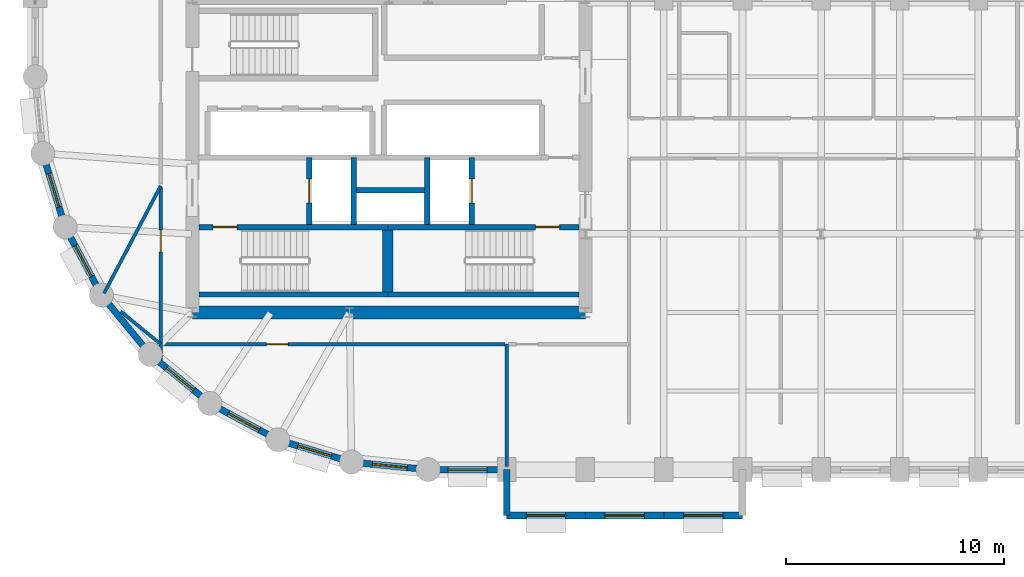
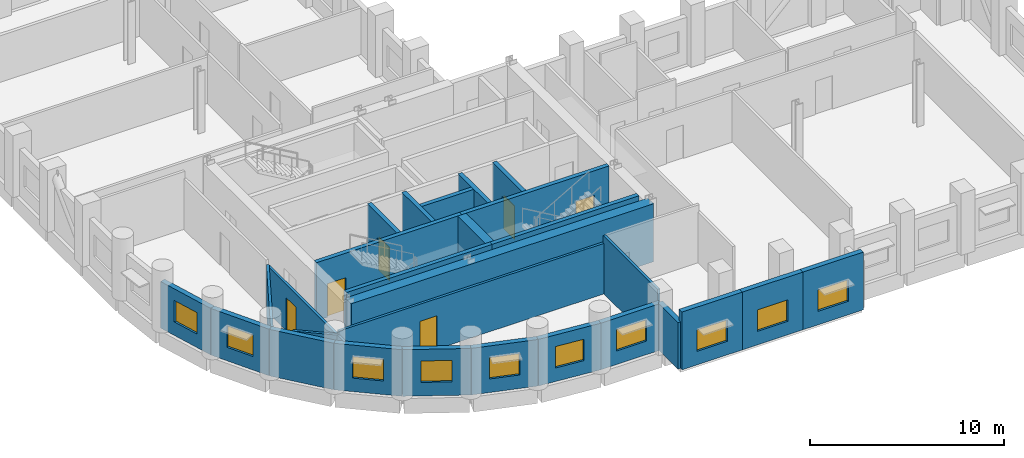
# One storey, part 3 of 10: 28 walls, 10 windows, 6 doors, 16 openings.
"""IFC4 building model written with IfcOpenShell, lengths in metres."""

from ifc_helpers import new_model, si_unit, direction, frame, frame_2d, origin, place, context, subcontext, project, spatial, rectangle, extrude, material, layer, layer_set, type_object, element, fill, save


model = new_model("IFC4")

# Units and contexts
model_context = context("Model", 3, precision=1e-05, world=origin(), true_north=direction((0.0, 1.0)))
body_context = subcontext(model_context, "Body", "Model", "MODEL_VIEW")
ifc_project = project(units=[si_unit("LENGTHUNIT", "METRE"), si_unit("AREAUNIT", "SQUARE_METRE"), si_unit("VOLUMEUNIT", "CUBIC_METRE"), si_unit("PLANEANGLEUNIT", "RADIAN"), si_unit("MASSUNIT", "GRAM", prefix="KILO")], contexts=[model_context])

# Site, building, storey
site_placement = place(None, origin())
site = spatial("IfcSite", under=ifc_project, at=site_placement, CompositionType="ELEMENT")
building_placement = place(site_placement, origin())
building = spatial("IfcBuilding", under=site, at=building_placement, Name="Solnavia Interchange Tower", CompositionType="ELEMENT")
storey_placement = place(building_placement, frame((0.0, 0.0, 95.699951171875)))
storey = spatial("IfcBuildingStorey", under=building, at=storey_placement, Name="L23", CompositionType="ELEMENT", Elevation=95.699951171875)

# Wall, opening, window
ifc_material_1 = material(Name="Concrete C40/50", Category="concrete")
ifc_layer_1 = layer(ifc_material_1, 0.300048828125)
ifc_layer_set_1 = layer_set([ifc_layer_1], Name="Concrete C40/50")
wall_type_1 = type_object("IfcWallType", Name="Wall-ExtSpandrel-300", PredefinedType="STANDARD", material=ifc_layer_set_1)
wall_1_placement = place(storey_placement, frame((28.800048828125, 3.60009765625, 0.0), z_axis=(0.0, 0.0, 1.0), x_axis=(-1.0, 0.0, 0.0)))
wall_1 = element("IfcWall", 1, at=wall_1_placement, inside=storey, type_object=wall_type_1, Name="EXW-L23-01 Exterior precast spandrel wall", PredefinedType="STANDARD", context=body_context, shape_type="SweptSolid", body=[
    extrude(rectangle(XDim=3.60009765625, YDim=0.300048828125, at=frame_2d((1.800048828125, 0.0))), origin(), (0.0, 0.0, 1.0), 2.929931640625),
])
opening_1_placement = place(wall_1_placement, frame((0.89990234375, 0.0, 0.85009765625)))
opening_1 = element("IfcOpeningElement", 2, at=opening_1_placement, cuts=wall_1, Name="Opening WIN-02", PredefinedType="OPENING", context=body_context, shape_type="SweptSolid", body=[
    extrude(rectangle(XDim=1.800048828125, YDim=1.35009765625, at=frame_2d((0.89990234375, 0.675048828125))), frame((0.0, 0.16015625, 0.0), z_axis=(0.0, -1.0, 0.0), x_axis=(1.0, 0.0, 0.0)), (0.0, 0.0, 1.0), 0.320068359375),
])
ifc_material_2 = material(Name="Thermal-Break Aluminium & Low-E Glass", Category="aluminium")
window_type_1 = type_object("IfcWindowType", Name="Window-Ribbon-1800x1350", PartitioningType="SINGLE_PANEL", PredefinedType="WINDOW", material=ifc_material_2)
window_1_placement = place(opening_1_placement, origin())
window_1 = element("IfcWindow", 3, at=window_1_placement, inside=storey, type_object=window_type_1, Name="WIN-L23-01 Facade ribbon window", OverallHeight=1.35009765625, OverallWidth=1.800048828125, PartitioningType="SINGLE_PANEL", PredefinedType="WINDOW", context=body_context, shape_type="SweptSolid", body=[
    extrude(rectangle(XDim=1.800048828125, YDim=1.35009765625, at=frame_2d((0.89990234375, 0.675048828125))), frame((0.0, 0.030029296875, 0.0), z_axis=(0.0, -1.0, 0.0), x_axis=(1.0, 0.0, 0.0)), (0.0, 0.0, 1.0), 0.06005859375),
])
fill(opening_1, window_1)

# Wall
wall_2_placement = place(storey_placement, frame((28.800048828125, 3.60009765625, 0.0), z_axis=(0.0, 0.0, 1.0), x_axis=(0.0, -1.0, 0.0)))
element("IfcWall", 4, at=wall_2_placement, inside=storey, type_object=wall_type_1, Name="EXW-L23-02 Exterior precast spandrel wall", PredefinedType="STANDARD", context=body_context, shape_type="SweptSolid", body=[
    extrude(rectangle(XDim=2.10009765625, YDim=0.300048828125, at=frame_2d((1.050048828125, 0.0))), origin(), (0.0, 0.0, 1.0), 2.929931640625),
])

# Wall, opening, window
wall_3_placement = place(storey_placement, frame((32.39990234375, 1.5, 0.0), z_axis=(0.0, 0.0, 1.0), x_axis=(-1.0, 0.0, 0.0)))
wall_3 = element("IfcWall", 5, at=wall_3_placement, inside=storey, type_object=wall_type_1, Name="EXW-L23-03 Exterior precast spandrel wall", PredefinedType="STANDARD", context=body_context, shape_type="SweptSolid", body=[
    extrude(rectangle(XDim=3.599853515625, YDim=0.300048828125, at=frame_2d((1.7998046875, 0.0))), origin(), (0.0, 0.0, 1.0), 3.635009765625),
])
opening_2_placement = place(wall_3_placement, frame((0.89990234375, 0.0, 0.85009765625)))
opening_2 = element("IfcOpeningElement", 6, at=opening_2_placement, cuts=wall_3, Name="Opening WIN-02", PredefinedType="OPENING", context=body_context, shape_type="SweptSolid", body=[
    extrude(rectangle(XDim=1.800048828125, YDim=1.35009765625, at=frame_2d((0.89990234375, 0.675048828125))), frame((0.0, 0.16015625, 0.0), z_axis=(0.0, -1.0, 0.0), x_axis=(1.0, 0.0, 0.0)), (0.0, 0.0, 1.0), 0.320068359375),
])
window_2_placement = place(opening_2_placement, origin())
window_2 = element("IfcWindow", 7, at=window_2_placement, inside=storey, type_object=window_type_1, Name="WIN-L23-03 Facade ribbon window", OverallHeight=1.35009765625, OverallWidth=1.800048828125, PartitioningType="SINGLE_PANEL", PredefinedType="WINDOW", context=body_context, shape_type="SweptSolid", body=[
    extrude(rectangle(XDim=1.800048828125, YDim=1.35009765625, at=frame_2d((0.89990234375, 0.675048828125))), frame((0.0, 0.030029296875, 0.0), z_axis=(0.0, -1.0, 0.0), x_axis=(1.0, 0.0, 0.0)), (0.0, 0.0, 1.0), 0.06005859375),
])
fill(opening_2, window_2)

wall_4_placement = place(storey_placement, frame((36.0, 1.5, 0.0), z_axis=(0.0, 0.0, 1.0), x_axis=(-1.0, 0.0, 0.0)))
wall_4 = element("IfcWall", 8, at=wall_4_placement, inside=storey, type_object=wall_type_1, Name="EXW-L23-04 Exterior precast spandrel wall", PredefinedType="STANDARD", context=body_context, shape_type="SweptSolid", body=[
    extrude(rectangle(XDim=3.60009765625, YDim=0.300048828125, at=frame_2d((1.800048828125, 0.0))), origin(), (0.0, 0.0, 1.0), 3.635009765625),
])
opening_3_placement = place(wall_4_placement, frame((0.89990234375, 0.0, 0.85009765625)))
opening_3 = element("IfcOpeningElement", 9, at=opening_3_placement, cuts=wall_4, Name="Opening WIN-02", PredefinedType="OPENING", context=body_context, shape_type="SweptSolid", body=[
    extrude(rectangle(XDim=1.800048828125, YDim=1.35009765625, at=frame_2d((0.89990234375, 0.675048828125))), frame((0.0, 0.16015625, 0.0), z_axis=(0.0, -1.0, 0.0), x_axis=(1.0, 0.0, 0.0)), (0.0, 0.0, 1.0), 0.320068359375),
])
window_3_placement = place(opening_3_placement, origin())
window_3 = element("IfcWindow", 10, at=window_3_placement, inside=storey, type_object=window_type_1, Name="WIN-L23-04 Facade ribbon window", OverallHeight=1.35009765625, OverallWidth=1.800048828125, PartitioningType="SINGLE_PANEL", PredefinedType="WINDOW", context=body_context, shape_type="SweptSolid", body=[
    extrude(rectangle(XDim=1.800048828125, YDim=1.35009765625, at=frame_2d((0.89990234375, 0.675048828125))), frame((0.0, 0.030029296875, 0.0), z_axis=(0.0, -1.0, 0.0), x_axis=(1.0, 0.0, 0.0)), (0.0, 0.0, 1.0), 0.06005859375),
])
fill(opening_3, window_3)

wall_5_placement = place(storey_placement, frame((39.60009765625, 1.5, 0.0), z_axis=(0.0, 0.0, 1.0), x_axis=(-1.0, 0.0, 0.0)))
wall_5 = element("IfcWall", 11, at=wall_5_placement, inside=storey, type_object=wall_type_1, Name="EXW-L23-05 Exterior precast spandrel wall", PredefinedType="STANDARD", context=body_context, shape_type="SweptSolid", body=[
    extrude(rectangle(XDim=3.60009765625, YDim=0.300048828125, at=frame_2d((1.800048828125, 0.0))), origin(), (0.0, 0.0, 1.0), 3.635009765625),
])
opening_4_placement = place(wall_5_placement, frame((0.89990234375, 0.0, 0.85009765625)))
opening_4 = element("IfcOpeningElement", 12, at=opening_4_placement, cuts=wall_5, Name="Opening WIN-02", PredefinedType="OPENING", context=body_context, shape_type="SweptSolid", body=[
    extrude(rectangle(XDim=1.800048828125, YDim=1.35009765625, at=frame_2d((0.89990234375, 0.675048828125))), frame((0.0, 0.16015625, 0.0), z_axis=(0.0, -1.0, 0.0), x_axis=(1.0, 0.0, 0.0)), (0.0, 0.0, 1.0), 0.320068359375),
])
window_4_placement = place(opening_4_placement, origin())
window_4 = element("IfcWindow", 13, at=window_4_placement, inside=storey, type_object=window_type_1, Name="WIN-L23-05 Facade ribbon window", OverallHeight=1.35009765625, OverallWidth=1.800048828125, PartitioningType="SINGLE_PANEL", PredefinedType="WINDOW", context=body_context, shape_type="SweptSolid", body=[
    extrude(rectangle(XDim=1.800048828125, YDim=1.35009765625, at=frame_2d((0.89990234375, 0.675048828125))), frame((0.0, 0.030029296875, 0.0), z_axis=(0.0, -1.0, 0.0), x_axis=(1.0, 0.0, 0.0)), (0.0, 0.0, 1.0), 0.06005859375),
])
fill(opening_4, window_4)

wall_6_placement = place(storey_placement, frame((8.570068359375, 14.7119140625, 0.0), z_axis=(0.0, 0.0, 1.0), x_axis=(-0.290305086481, 0.956934144423, 0.0)))
wall_6 = element("IfcWall", 14, at=wall_6_placement, inside=storey, type_object=wall_type_1, Name="EXW-L23-54 Exterior precast spandrel wall", PredefinedType="STANDARD", context=body_context, shape_type="SweptSolid", body=[
    extrude(rectangle(XDim=3.52783203125, YDim=0.300048828125, at=frame_2d((1.763916015625, 0.0))), origin(), (0.0, 0.0, 1.0), 2.929931640625),
])
opening_5_placement = place(wall_6_placement, frame((0.964111328125, 0.0, 0.85009765625)))
opening_5 = element("IfcOpeningElement", 15, at=opening_5_placement, cuts=wall_6, Name="Opening WIN-04", PredefinedType="OPENING", context=body_context, shape_type="SweptSolid", body=[
    extrude(rectangle(XDim=1.60009765625, YDim=1.35009765625, at=frame_2d((0.800048828125, 0.675048828125))), frame((0.0, 0.16015625, 0.0), z_axis=(0.0, -1.0, 0.0), x_axis=(1.0, 0.0, 0.0)), (0.0, 0.0, 1.0), 0.320068359375),
])
window_type_2 = type_object("IfcWindowType", Name="Window-Drum-1600x1350", PartitioningType="SINGLE_PANEL", PredefinedType="WINDOW", material=ifc_material_2)
window_5_placement = place(opening_5_placement, origin())
window_5 = element("IfcWindow", 16, at=window_5_placement, inside=storey, type_object=window_type_2, Name="WIN-L23-54 Facade ribbon window", OverallHeight=1.35009765625, OverallWidth=1.60009765625, PartitioningType="SINGLE_PANEL", PredefinedType="WINDOW", context=body_context, shape_type="SweptSolid", body=[
    extrude(rectangle(XDim=1.60009765625, YDim=1.35009765625, at=frame_2d((0.800048828125, 0.675048828125))), frame((0.0, 0.030029296875, 0.0), z_axis=(0.0, -1.0, 0.0), x_axis=(1.0, 0.0, 0.0)), (0.0, 0.0, 1.0), 0.06005859375),
])
fill(opening_5, window_5)

wall_7_placement = place(storey_placement, frame((10.23388671875, 11.60009765625, 0.0), z_axis=(0.0, 0.0, 1.0), x_axis=(-0.47151087309, 0.881860247748, 0.0)))
wall_7 = element("IfcWall", 17, at=wall_7_placement, inside=storey, type_object=wall_type_1, Name="EXW-L23-55 Exterior precast spandrel wall", PredefinedType="STANDARD", context=body_context, shape_type="SweptSolid", body=[
    extrude(rectangle(XDim=3.52880859375, YDim=0.300048828125, at=frame_2d((1.764404296875, 0.0))), origin(), (0.0, 0.0, 1.0), 2.929931640625),
])
opening_6_placement = place(wall_7_placement, frame((0.964111328125, 0.0, 0.85009765625)))
opening_6 = element("IfcOpeningElement", 18, at=opening_6_placement, cuts=wall_7, Name="Opening WIN-04", PredefinedType="OPENING", context=body_context, shape_type="SweptSolid", body=[
    extrude(rectangle(XDim=1.60009765625, YDim=1.35009765625, at=frame_2d((0.800048828125, 0.675048828125))), frame((0.0, 0.16015625, 0.0), z_axis=(0.0, -1.0, 0.0), x_axis=(1.0, 0.0, 0.0)), (0.0, 0.0, 1.0), 0.320068359375),
])
window_6_placement = place(opening_6_placement, origin())
window_6 = element("IfcWindow", 19, at=window_6_placement, inside=storey, type_object=window_type_2, Name="WIN-L23-55 Facade ribbon window", OverallHeight=1.35009765625, OverallWidth=1.60009765625, PartitioningType="SINGLE_PANEL", PredefinedType="WINDOW", context=body_context, shape_type="SweptSolid", body=[
    extrude(rectangle(XDim=1.60009765625, YDim=1.35009765625, at=frame_2d((0.800048828125, 0.675048828125))), frame((0.0, 0.030029296875, 0.0), z_axis=(0.0, -1.0, 0.0), x_axis=(1.0, 0.0, 0.0)), (0.0, 0.0, 1.0), 0.06005859375),
])
fill(opening_6, window_6)

# Wall
wall_8_placement = place(storey_placement, frame((12.471923828125, 8.8720703125, 0.0), z_axis=(0.0, 0.0, 1.0), x_axis=(-0.634258295121, 0.773121216285, 0.0)))
element("IfcWall", 20, at=wall_8_placement, inside=storey, type_object=wall_type_1, Name="EXW-L23-56 Exterior precast spandrel wall", PredefinedType="STANDARD", context=body_context, shape_type="SweptSolid", body=[
    extrude(rectangle(XDim=3.528564453125, YDim=0.300048828125, at=frame_2d((1.76416015625, 0.0))), origin(), (0.0, 0.0, 1.0), 2.929931640625),
])

# Wall, opening, window
wall_9_placement = place(storey_placement, frame((15.199951171875, 6.634033203125, 0.0), z_axis=(0.0, 0.0, 1.0), x_axis=(-0.773121216285, 0.634258295121, 0.0)))
wall_9 = element("IfcWall", 21, at=wall_9_placement, inside=storey, type_object=wall_type_1, Name="EXW-L23-57 Exterior precast spandrel wall", PredefinedType="STANDARD", context=body_context, shape_type="SweptSolid", body=[
    extrude(rectangle(XDim=3.528564453125, YDim=0.300048828125, at=frame_2d((1.76416015625, 0.0))), origin(), (0.0, 0.0, 1.0), 2.929931640625),
])
opening_7_placement = place(wall_9_placement, frame((0.964111328125, 0.0, 0.85009765625)))
opening_7 = element("IfcOpeningElement", 22, at=opening_7_placement, cuts=wall_9, Name="Opening WIN-04", PredefinedType="OPENING", context=body_context, shape_type="SweptSolid", body=[
    extrude(rectangle(XDim=1.60009765625, YDim=1.35009765625, at=frame_2d((0.800048828125, 0.675048828125))), frame((0.0, 0.16015625, 0.0), z_axis=(0.0, -1.0, 0.0), x_axis=(1.0, 0.0, 0.0)), (0.0, 0.0, 1.0), 0.320068359375),
])
window_7_placement = place(opening_7_placement, origin())
window_7 = element("IfcWindow", 23, at=window_7_placement, inside=storey, type_object=window_type_2, Name="WIN-L23-57 Facade ribbon window", OverallHeight=1.35009765625, OverallWidth=1.60009765625, PartitioningType="SINGLE_PANEL", PredefinedType="WINDOW", context=body_context, shape_type="SweptSolid", body=[
    extrude(rectangle(XDim=1.60009765625, YDim=1.35009765625, at=frame_2d((0.800048828125, 0.675048828125))), frame((0.0, 0.030029296875, 0.0), z_axis=(0.0, -1.0, 0.0), x_axis=(1.0, 0.0, 0.0)), (0.0, 0.0, 1.0), 0.06005859375),
])
fill(opening_7, window_7)

wall_10_placement = place(storey_placement, frame((18.31201171875, 4.969970703125, 0.0), z_axis=(0.0, 0.0, 1.0), x_axis=(-0.881846862014, 0.471535907389, 0.0)))
wall_10 = element("IfcWall", 24, at=wall_10_placement, inside=storey, type_object=wall_type_1, Name="EXW-L23-58 Exterior precast spandrel wall", PredefinedType="STANDARD", context=body_context, shape_type="SweptSolid", body=[
    extrude(rectangle(XDim=3.529052734375, YDim=0.300048828125, at=frame_2d((1.7646484375, 0.0))), origin(), (0.0, 0.0, 1.0), 2.929931640625),
])
opening_8_placement = place(wall_10_placement, frame((0.964111328125, 0.0, 0.85009765625)))
opening_8 = element("IfcOpeningElement", 25, at=opening_8_placement, cuts=wall_10, Name="Opening WIN-04", PredefinedType="OPENING", context=body_context, shape_type="SweptSolid", body=[
    extrude(rectangle(XDim=1.60009765625, YDim=1.35009765625, at=frame_2d((0.800048828125, 0.675048828125))), frame((0.0, 0.16015625, 0.0), z_axis=(0.0, -1.0, 0.0), x_axis=(1.0, 0.0, 0.0)), (0.0, 0.0, 1.0), 0.320068359375),
])
window_8_placement = place(opening_8_placement, origin())
window_8 = element("IfcWindow", 26, at=window_8_placement, inside=storey, type_object=window_type_2, Name="WIN-L23-58 Facade ribbon window", OverallHeight=1.35009765625, OverallWidth=1.60009765625, PartitioningType="SINGLE_PANEL", PredefinedType="WINDOW", context=body_context, shape_type="SweptSolid", body=[
    extrude(rectangle(XDim=1.60009765625, YDim=1.35009765625, at=frame_2d((0.800048828125, 0.675048828125))), frame((0.0, 0.030029296875, 0.0), z_axis=(0.0, -1.0, 0.0), x_axis=(1.0, 0.0, 0.0)), (0.0, 0.0, 1.0), 0.06005859375),
])
fill(opening_8, window_8)

wall_11_placement = place(storey_placement, frame((21.68798828125, 3.946044921875, 0.0), z_axis=(0.0, 0.0, 1.0), x_axis=(-0.956953367403, 0.290241714123, 0.0)))
wall_11 = element("IfcWall", 27, at=wall_11_placement, inside=storey, type_object=wall_type_1, Name="EXW-L23-59 Exterior precast spandrel wall", PredefinedType="STANDARD", context=body_context, shape_type="SweptSolid", body=[
    extrude(rectangle(XDim=3.52783203125, YDim=0.300048828125, at=frame_2d((1.763916015625, 0.0))), origin(), (0.0, 0.0, 1.0), 2.929931640625),
])
opening_9_placement = place(wall_11_placement, frame((0.964111328125, 0.0, 0.85009765625)))
opening_9 = element("IfcOpeningElement", 28, at=opening_9_placement, cuts=wall_11, Name="Opening WIN-04", PredefinedType="OPENING", context=body_context, shape_type="SweptSolid", body=[
    extrude(rectangle(XDim=1.60009765625, YDim=1.35009765625, at=frame_2d((0.800048828125, 0.675048828125))), frame((0.0, 0.16015625, 0.0), z_axis=(0.0, -1.0, 0.0), x_axis=(1.0, 0.0, 0.0)), (0.0, 0.0, 1.0), 0.320068359375),
])
window_9_placement = place(opening_9_placement, origin())
window_9 = element("IfcWindow", 29, at=window_9_placement, inside=storey, type_object=window_type_2, Name="WIN-L23-59 Facade ribbon window", OverallHeight=1.35009765625, OverallWidth=1.60009765625, PartitioningType="SINGLE_PANEL", PredefinedType="WINDOW", context=body_context, shape_type="SweptSolid", body=[
    extrude(rectangle(XDim=1.60009765625, YDim=1.35009765625, at=frame_2d((0.800048828125, 0.675048828125))), frame((0.0, 0.030029296875, 0.0), z_axis=(0.0, -1.0, 0.0), x_axis=(1.0, 0.0, 0.0)), (0.0, 0.0, 1.0), 0.06005859375),
])
fill(opening_9, window_9)

wall_12_placement = place(storey_placement, frame((25.199951171875, 3.60009765625, 0.0), z_axis=(0.0, 0.0, 1.0), x_axis=(-0.995183369056, 0.098030923459, 0.0)))
wall_12 = element("IfcWall", 30, at=wall_12_placement, inside=storey, type_object=wall_type_1, Name="EXW-L23-60 Exterior precast spandrel wall", PredefinedType="STANDARD", context=body_context, shape_type="SweptSolid", body=[
    extrude(rectangle(XDim=3.529052734375, YDim=0.300048828125, at=frame_2d((1.7646484375, 0.0))), origin(), (0.0, 0.0, 1.0), 2.929931640625),
])
opening_10_placement = place(wall_12_placement, frame((0.965087890625, 0.0, 0.85009765625)))
opening_10 = element("IfcOpeningElement", 31, at=opening_10_placement, cuts=wall_12, Name="Opening WIN-04", PredefinedType="OPENING", context=body_context, shape_type="SweptSolid", body=[
    extrude(rectangle(XDim=1.60009765625, YDim=1.35009765625, at=frame_2d((0.800048828125, 0.675048828125))), frame((0.0, 0.16015625, 0.0), z_axis=(0.0, -1.0, 0.0), x_axis=(1.0, 0.0, 0.0)), (0.0, 0.0, 1.0), 0.320068359375),
])
window_10_placement = place(opening_10_placement, origin())
window_10 = element("IfcWindow", 32, at=window_10_placement, inside=storey, type_object=window_type_2, Name="WIN-L23-60 Facade ribbon window", OverallHeight=1.35009765625, OverallWidth=1.60009765625, PartitioningType="SINGLE_PANEL", PredefinedType="WINDOW", context=body_context, shape_type="SweptSolid", body=[
    extrude(rectangle(XDim=1.60009765625, YDim=1.35009765625, at=frame_2d((0.800048828125, 0.675048828125))), frame((0.0, 0.030029296875, 0.0), z_axis=(0.0, -1.0, 0.0), x_axis=(1.0, 0.0, 0.0)), (0.0, 0.0, 1.0), 0.06005859375),
])
fill(opening_10, window_10)

# Walls
ifc_material_3 = material(Name="Gypsum Plasterboard & Steel Stud", Category="steel")
ifc_layer_2 = layer(ifc_material_3, 0.14990234375)
ifc_layer_set_2 = layer_set([ifc_layer_2], Name="Gypsum Plasterboard & Steel Stud")
wall_type_2 = type_object("IfcWallType", Name="Wall-Partition-150", PredefinedType="PARTITIONING", material=ifc_layer_set_2)
wall_13_placement = place(storey_placement, frame((28.800048828125, 9.35009765625, 0.0), z_axis=(0.0, 0.0, 1.0), x_axis=(0.0, -1.0, 0.0)))
element("IfcWall", 33, at=wall_13_placement, inside=storey, type_object=wall_type_2, Name="PTW-L23-08 Interior partition wall", PredefinedType="PARTITIONING", context=body_context, shape_type="SweptSolid", body=[
    extrude(rectangle(XDim=5.59619140625, YDim=0.14990234375, at=frame_2d((2.798095703125, 0.0))), origin(), (0.0, 0.0, 1.0), 3.635009765625),
])
wall_14_placement = place(storey_placement, frame((12.949951171875, 9.35009765625, 0.0), z_axis=(0.0, 0.0, 1.0), x_axis=(-0.774315108081, 0.632800216022, 0.0)))
element("IfcWall", 34, at=wall_14_placement, inside=storey, type_object=wall_type_2, Name="PTW-L23-09 Interior partition wall", PredefinedType="PARTITIONING", context=body_context, shape_type="SweptSolid", body=[
    extrude(rectangle(XDim=2.370361328125, YDim=0.14990234375, at=frame_2d((1.18505859375, 0.0))), origin(), (0.0, 0.0, 1.0), 2.929931640625),
])
wall_15_placement = place(storey_placement, frame((12.949951171875, 16.60009765625, 0.0), z_axis=(0.0, 0.0, 1.0), x_axis=(-0.466710911312, -0.884409930554, 0.0)))
element("IfcWall", 35, at=wall_15_placement, inside=storey, type_object=wall_type_2, Name="PTW-L23-10 Interior partition wall", PredefinedType="PARTITIONING", context=body_context, shape_type="SweptSolid", body=[
    extrude(rectangle(XDim=5.55908203125, YDim=0.14990234375, at=frame_2d((2.779541015625, 0.0))), origin(), (0.0, 0.0, 1.0), 2.929931640625),
])

# Wall, opening, door
wall_16_placement = place(storey_placement, frame((12.949951171875, 8.6337890625, 0.0), z_axis=(0.0, 0.0, 1.0), x_axis=(0.0, 1.0, 0.0)))
wall_16 = element("IfcWall", 36, at=wall_16_placement, inside=storey, type_object=wall_type_2, Name="PTW-L23-12 Interior partition wall", PredefinedType="PARTITIONING", context=body_context, shape_type="SweptSolid", body=[
    extrude(rectangle(XDim=7.88720703125, YDim=0.14990234375, at=frame_2d((3.943603515625, 0.0))), origin(), (0.0, 0.0, 1.0), 2.929931640625),
])
opening_11_placement = place(wall_16_placement, frame((4.947021484375, 0.0, 0.0)))
opening_11 = element("IfcOpeningElement", 37, at=opening_11_placement, cuts=wall_16, Name="Opening DR-07", PredefinedType="OPENING", context=body_context, shape_type="SweptSolid", body=[
    extrude(rectangle(XDim=1.0, YDim=2.10009765625, at=frame_2d((0.5, 1.050048828125))), frame((0.0, 0.0849609375, 0.0), z_axis=(0.0, -1.0, 0.0), x_axis=(1.0, 0.0, 0.0)), (0.0, 0.0, 1.0), 0.169921875),
])
ifc_material_4 = material(Name="Timber & Acoustic Glazed Office Door", Category="wood")
door_type_1 = type_object("IfcDoorType", Name="Door-Office-1000x2100", OperationType="SINGLE_SWING_RIGHT", PredefinedType="DOOR", material=ifc_material_4)
door_1_placement = place(opening_11_placement, origin())
door_1 = element("IfcDoor", 38, at=door_1_placement, inside=storey, type_object=door_type_1, Name="DR-L23-04 Interior room door", OperationType="SINGLE_SWING_RIGHT", OverallHeight=2.10009765625, OverallWidth=1.0, PredefinedType="DOOR", context=body_context, shape_type="SweptSolid", body=[
    extrude(rectangle(XDim=1.0, YDim=2.10009765625, at=frame_2d((0.5, 1.050048828125))), frame((0.0, 0.02490234375, 0.0), z_axis=(0.0, -1.0, 0.0), x_axis=(1.0, 0.0, 0.0)), (0.0, 0.0, 1.0), 0.050048828125),
])
fill(opening_11, door_1)

wall_17_placement = place(storey_placement, frame((12.949951171875, 9.35009765625, 0.0), z_axis=(0.0, 0.0, 1.0), x_axis=(1.0, 0.0, 0.0)))
wall_17 = element("IfcWall", 39, at=wall_17_placement, inside=storey, type_object=wall_type_2, Name="PTW-L23-13 Interior partition wall", PredefinedType="PARTITIONING", context=body_context, shape_type="SweptSolid", body=[
    extrude(rectangle(XDim=15.77099609375, YDim=0.14990234375, at=frame_2d((7.885498046875, 0.0))), origin(), (0.0, 0.0, 1.0), 3.179931640625),
])
opening_12_placement = place(wall_17_placement, frame((4.8359375, 0.0, 0.0)))
opening_12 = element("IfcOpeningElement", 40, at=opening_12_placement, cuts=wall_17, Name="Opening DR-07", PredefinedType="OPENING", context=body_context, shape_type="SweptSolid", body=[
    extrude(rectangle(XDim=1.0, YDim=2.10009765625, at=frame_2d((0.5, 1.050048828125))), frame((0.0, 0.0849609375, 0.0), z_axis=(0.0, -1.0, 0.0), x_axis=(1.0, 0.0, 0.0)), (0.0, 0.0, 1.0), 0.169921875),
])
door_2_placement = place(opening_12_placement, origin())
door_2 = element("IfcDoor", 41, at=door_2_placement, inside=storey, type_object=door_type_1, Name="DR-L23-05 Interior room door", OperationType="SINGLE_SWING_LEFT", OverallHeight=2.10009765625, OverallWidth=1.0, PredefinedType="DOOR", context=body_context, shape_type="SweptSolid", body=[
    extrude(rectangle(XDim=1.0, YDim=2.10009765625, at=frame_2d((0.5, 1.050048828125))), frame((0.0, 0.02490234375, 0.0), z_axis=(0.0, -1.0, 0.0), x_axis=(1.0, 0.0, 0.0)), (0.0, 0.0, 1.0), 0.050048828125),
])
fill(opening_12, door_2)

# Wall
ifc_layer_3 = layer(ifc_material_1, 0.25)
ifc_layer_set_3 = layer_set([ifc_layer_3], Name="Concrete C40/50")
wall_type_3 = type_object("IfcWallType", Name="Wall-ShaftCore-250", PredefinedType="SHEAR", material=ifc_layer_set_3)
wall_18_placement = place(storey_placement, frame((14.699951171875, 11.625, 0.0), z_axis=(0.0, 0.0, 1.0), x_axis=(1.0, 0.0, 0.0)))
element("IfcWall", 42, at=wall_18_placement, inside=storey, type_object=wall_type_3, Name="SHW-L23-ST1S Core shear wall", PredefinedType="SHEAR", context=body_context, shape_type="SweptSolid", body=[
    extrude(rectangle(XDim=8.650146484375, YDim=0.25, at=frame_2d((4.3251953125, 0.0))), origin(), (0.0, 0.0, 1.0), 3.650146484375),
])

# Wall, opening, door
wall_19_placement = place(storey_placement, frame((14.699951171875, 14.715087890625, 0.0), z_axis=(0.0, 0.0, 1.0), x_axis=(1.0, 0.0, 0.0)))
wall_19 = element("IfcWall", 43, at=wall_19_placement, inside=storey, type_object=wall_type_3, Name="SHW-L23-ST1N Core shear wall", PredefinedType="SHEAR", context=body_context, shape_type="SweptSolid", body=[
    extrude(rectangle(XDim=8.650146484375, YDim=0.25, at=frame_2d((4.3251953125, 0.0))), origin(), (0.0, 0.0, 1.0), 3.650146484375),
])
opening_13_placement = place(wall_19_placement, frame((0.655029296875, 0.0, 0.0)))
opening_13 = element("IfcOpeningElement", 44, at=opening_13_placement, cuts=wall_19, Name="Opening DR-01", PredefinedType="OPENING", context=body_context, shape_type="SweptSolid", body=[
    extrude(rectangle(XDim=1.10009765625, YDim=2.10009765625, at=frame_2d((0.550048828125, 1.050048828125))), frame((0.0, 0.135009765625, 0.0), z_axis=(0.0, -1.0, 0.0), x_axis=(1.0, 0.0, 0.0)), (0.0, 0.0, 1.0), 0.27001953125),
])
ifc_material_5 = material(Name="Steel Fire-Rated Leaf & Frame", Category="steel")
door_type_2 = type_object("IfcDoorType", Name="Door-StairFire-1100x2100", OperationType="SINGLE_SWING_LEFT", PredefinedType="DOOR", material=ifc_material_5)
door_3_placement = place(opening_13_placement, origin())
door_3 = element("IfcDoor", 45, at=door_3_placement, inside=storey, type_object=door_type_2, Name="DR-L23-ST1 Core fire door", OperationType="SINGLE_SWING_LEFT", OverallHeight=2.10009765625, OverallWidth=1.10009765625, PredefinedType="DOOR", context=body_context, shape_type="SweptSolid", body=[
    extrude(rectangle(XDim=1.10009765625, YDim=2.10009765625, at=frame_2d((0.550048828125, 1.050048828125))), frame((0.0, 0.02490234375, 0.0), z_axis=(0.0, -1.0, 0.0), x_axis=(1.0, 0.0, 0.0)), (0.0, 0.0, 1.0), 0.050048828125),
])
fill(opening_13, door_3)

# Wall
wall_20_placement = place(storey_placement, frame((23.35009765625, 11.625, 0.0), z_axis=(0.0, 0.0, 1.0), x_axis=(1.0, 0.0, 0.0)))
element("IfcWall", 46, at=wall_20_placement, inside=storey, type_object=wall_type_3, Name="SHW-L23-ST2S Core shear wall", PredefinedType="SHEAR", context=body_context, shape_type="SweptSolid", body=[
    extrude(rectangle(XDim=8.75, YDim=0.25, at=frame_2d((4.375, 0.0))), origin(), (0.0, 0.0, 1.0), 3.650146484375),
])

# Wall, opening, door
wall_21_placement = place(storey_placement, frame((23.35009765625, 14.715087890625, 0.0), z_axis=(0.0, 0.0, 1.0), x_axis=(1.0, 0.0, 0.0)))
wall_21 = element("IfcWall", 47, at=wall_21_placement, inside=storey, type_object=wall_type_3, Name="SHW-L23-ST2N Core shear wall", PredefinedType="SHEAR", context=body_context, shape_type="SweptSolid", body=[
    extrude(rectangle(XDim=8.75, YDim=0.25, at=frame_2d((4.375, 0.0))), origin(), (0.0, 0.0, 1.0), 3.650146484375),
])
opening_14_placement = place(wall_21_placement, frame((6.77490234375, 0.0, 0.0)))
opening_14 = element("IfcOpeningElement", 48, at=opening_14_placement, cuts=wall_21, Name="Opening DR-01", PredefinedType="OPENING", context=body_context, shape_type="SweptSolid", body=[
    extrude(rectangle(XDim=1.10009765625, YDim=2.10009765625, at=frame_2d((0.550048828125, 1.050048828125))), frame((0.0, 0.135009765625, 0.0), z_axis=(0.0, -1.0, 0.0), x_axis=(1.0, 0.0, 0.0)), (0.0, 0.0, 1.0), 0.27001953125),
])
door_4_placement = place(opening_14_placement, origin())
door_4 = element("IfcDoor", 49, at=door_4_placement, inside=storey, type_object=door_type_2, Name="DR-L23-ST2 Core fire door", OperationType="SINGLE_SWING_LEFT", OverallHeight=2.10009765625, OverallWidth=1.10009765625, PredefinedType="DOOR", context=body_context, shape_type="SweptSolid", body=[
    extrude(rectangle(XDim=1.10009765625, YDim=2.10009765625, at=frame_2d((0.550048828125, 1.050048828125))), frame((0.0, 0.02490234375, 0.0), z_axis=(0.0, -1.0, 0.0), x_axis=(1.0, 0.0, 0.0)), (0.0, 0.0, 1.0), 0.050048828125),
])
fill(opening_14, door_4)

ifc_layer_4 = layer(ifc_material_1, 0.25)
ifc_layer_set_4 = layer_set([ifc_layer_4], Name="Concrete C40/50")
wall_type_4 = type_object("IfcWallType", Name="Wall-ShaftPart-250", PredefinedType="PARTITIONING", material=ifc_layer_set_4)
wall_22_placement = place(storey_placement, frame((19.75, 14.840087890625, 0.0), z_axis=(0.0, 0.0, 1.0), x_axis=(0.0, 1.0, 0.0)))
wall_22 = element("IfcWall", 50, at=wall_22_placement, inside=storey, type_object=wall_type_4, Name="SHW-L23-FFL1-W Core shaft wall", PredefinedType="PARTITIONING", context=body_context, shape_type="SweptSolid", body=[
    extrude(rectangle(XDim=3.059814453125, YDim=0.25, at=frame_2d((1.52978515625, 0.0))), origin(), (0.0, 0.0, 1.0), 3.635009765625),
])
opening_15_placement = place(wall_22_placement, frame((0.97998046875, 0.0, 0.0)))
opening_15 = element("IfcOpeningElement", 51, at=opening_15_placement, cuts=wall_22, Name="Opening LD-01", PredefinedType="OPENING", context=body_context, shape_type="SweptSolid", body=[
    extrude(rectangle(XDim=1.10009765625, YDim=2.10009765625, at=frame_2d((0.550048828125, 1.050048828125))), frame((0.0, 0.135009765625, 0.0), z_axis=(0.0, -1.0, 0.0), x_axis=(1.0, 0.0, 0.0)), (0.0, 0.0, 1.0), 0.27001953125),
])
ifc_material_6 = material(Name="Brushed Stainless Steel Sliding Door", Category="steel")
door_type_3 = type_object("IfcDoorType", Name="Door-LiftLanding-1100x2100", OperationType="SLIDING_TO_LEFT", PredefinedType="DOOR", material=ifc_material_6)
door_5_placement = place(opening_15_placement, origin())
door_5 = element("IfcDoor", 52, at=door_5_placement, inside=storey, type_object=door_type_3, Name="LD-L23-FFL1 Lift landing sliding door", OperationType="SLIDING_TO_LEFT", OverallHeight=2.10009765625, OverallWidth=1.10009765625, PredefinedType="DOOR", context=body_context, shape_type="SweptSolid", body=[
    extrude(rectangle(XDim=1.10009765625, YDim=2.10009765625, at=frame_2d((0.550048828125, 1.050048828125))), frame((0.0, 0.02490234375, 0.0), z_axis=(0.0, -1.0, 0.0), x_axis=(1.0, 0.0, 0.0)), (0.0, 0.0, 1.0), 0.050048828125),
])
fill(opening_15, door_5)

# Walls
for number, where, z_axis, x_axis, name in (
    (53, (21.800048828125, 14.840087890625, 0.0), (0.0, 0.0, 1.0), (0.0, 1.0, 0.0), "SHW-L23-FFL1-E Core shaft wall"),
    (54, (25.14990234375, 14.840087890625, 0.0), (0.0, 0.0, 1.0), (0.0, 1.0, 0.0), "SHW-L23-FFL2-W Core shaft wall"),
):
    element("IfcWall", number, at=place(storey_placement, frame(where, z_axis=z_axis, x_axis=x_axis)), inside=storey, type_object=wall_type_4, Name=name, PredefinedType="PARTITIONING", context=body_context, shape_type="SweptSolid", body=[
        extrude(rectangle(XDim=3.059814453125, YDim=0.25, at=frame_2d((1.52978515625, 0.0))), origin(), (0.0, 0.0, 1.0), 3.635009765625),
    ])

# Wall, opening, door
wall_23_placement = place(storey_placement, frame((27.199951171875, 14.840087890625, 0.0), z_axis=(0.0, 0.0, 1.0), x_axis=(0.0, 1.0, 0.0)))
wall_23 = element("IfcWall", 55, at=wall_23_placement, inside=storey, type_object=wall_type_4, Name="SHW-L23-FFL2-E Core shaft wall", PredefinedType="PARTITIONING", context=body_context, shape_type="SweptSolid", body=[
    extrude(rectangle(XDim=3.059814453125, YDim=0.25, at=frame_2d((1.52978515625, 0.0))), origin(), (0.0, 0.0, 1.0), 3.635009765625),
])
opening_16_placement = place(wall_23_placement, frame((0.97998046875, 0.0, 0.0)))
opening_16 = element("IfcOpeningElement", 56, at=opening_16_placement, cuts=wall_23, Name="Opening LD-01", PredefinedType="OPENING", context=body_context, shape_type="SweptSolid", body=[
    extrude(rectangle(XDim=1.10009765625, YDim=2.10009765625, at=frame_2d((0.550048828125, 1.050048828125))), frame((0.0, 0.135009765625, 0.0), z_axis=(0.0, -1.0, 0.0), x_axis=(1.0, 0.0, 0.0)), (0.0, 0.0, 1.0), 0.27001953125),
])
door_6_placement = place(opening_16_placement, origin())
door_6 = element("IfcDoor", 57, at=door_6_placement, inside=storey, type_object=door_type_3, Name="LD-L23-FFL2 Lift landing sliding door", OperationType="SLIDING_TO_LEFT", OverallHeight=2.10009765625, OverallWidth=1.10009765625, PredefinedType="DOOR", context=body_context, shape_type="SweptSolid", body=[
    extrude(rectangle(XDim=1.10009765625, YDim=2.10009765625, at=frame_2d((0.550048828125, 1.050048828125))), frame((0.0, 0.02490234375, 0.0), z_axis=(0.0, -1.0, 0.0), x_axis=(1.0, 0.0, 0.0)), (0.0, 0.0, 1.0), 0.050048828125),
])
fill(opening_16, door_6)

# Walls
wall_24_placement = place(storey_placement, frame((21.800048828125, 16.39990234375, 0.0), z_axis=(0.0, 0.0, 1.0), x_axis=(1.0, 0.0, 0.0)))
element("IfcWall", 58, at=wall_24_placement, inside=storey, type_object=wall_type_4, Name="SHW-L23-MEP-N Core shaft wall", PredefinedType="PARTITIONING", context=body_context, shape_type="SweptSolid", body=[
    extrude(rectangle(XDim=3.349853515625, YDim=0.25, at=frame_2d((1.6748046875, 0.0))), origin(), (0.0, 0.0, 1.0), 3.635009765625),
])
ifc_material_7 = material(Name="Concrete C60/75", Category="concrete")
ifc_layer_5 = layer(ifc_material_7, 0.5)
ifc_layer_set_5 = layer_set([ifc_layer_5], Name="Concrete C60/75")
wall_type_5 = type_object("IfcWallType", Name="Wall-ShearCore-500", PredefinedType="SHEAR", material=ifc_layer_set_5)
wall_25_placement = place(storey_placement, frame((23.35009765625, 11.75, 0.0), z_axis=(0.0, 0.0, 1.0), x_axis=(0.0, 1.0, 0.0)))
element("IfcWall", 59, at=wall_25_placement, inside=storey, type_object=wall_type_5, Name="SHW-L23-ST12M Core shear wall", PredefinedType="SHEAR", context=body_context, shape_type="SweptSolid", body=[
    extrude(rectangle(XDim=2.840087890625, YDim=0.5, at=frame_2d((1.419921875, 0.0))), origin(), (0.0, 0.0, 1.0), 3.650146484375),
])
ifc_layer_6 = layer(ifc_material_7, 0.60009765625)
ifc_layer_set_6 = layer_set([ifc_layer_6], Name="Concrete C60/75")
wall_type_6 = type_object("IfcWallType", Name="Wall-ShearCore-600", PredefinedType="SHEAR", material=ifc_layer_set_6)
wall_26_placement = place(storey_placement, frame((14.39990234375, 10.800048828125, 0.0), z_axis=(0.0, 0.0, 1.0), x_axis=(1.0, 0.0, 0.0)))
element("IfcWall", 60, at=wall_26_placement, inside=storey, type_object=wall_type_6, Name="CRW-L23-S Core shear wall", PredefinedType="SHEAR", context=body_context, shape_type="SweptSolid", body=[
    extrude(rectangle(XDim=18.0, YDim=0.60009765625, at=frame_2d((9.0, 0.0))), origin(), (0.0, 0.0, 1.0), 3.650146484375),
])

save(model, "model.ifc")
